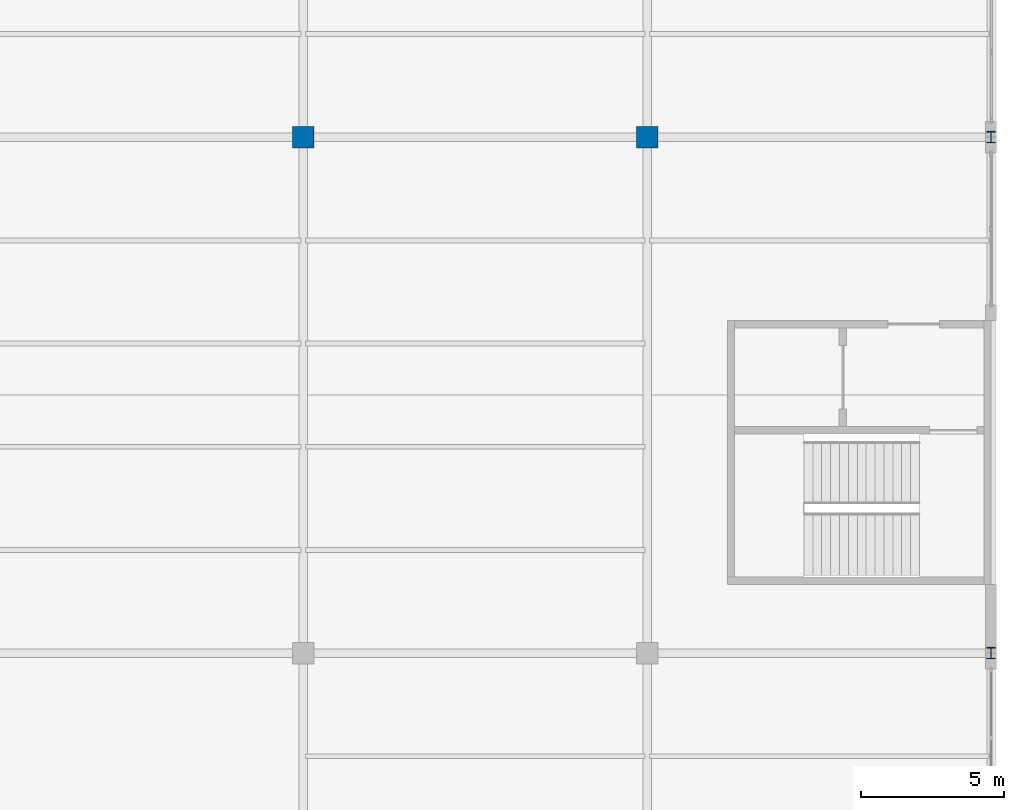
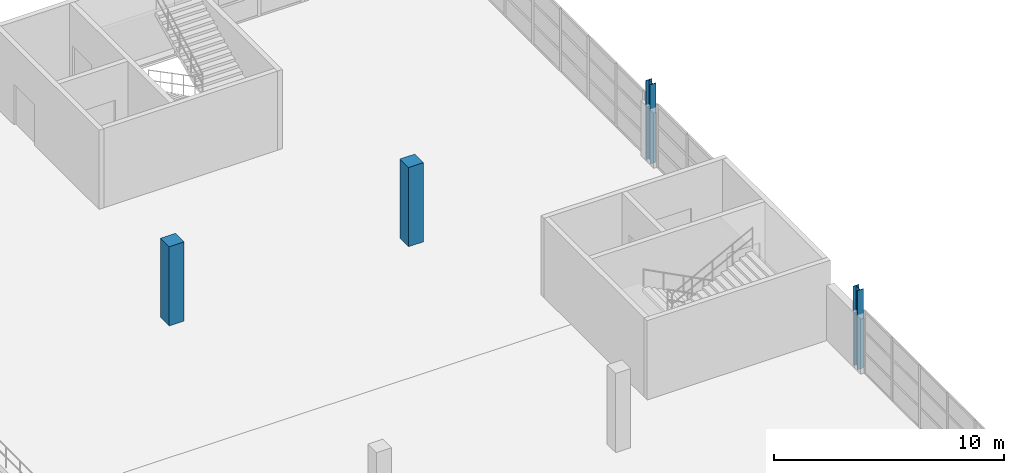
# One storey, part 18 of 158: 4 columns.
"""IFC4 building model written with IfcOpenShell, lengths in metres."""

from ifc_helpers import new_model, si_unit, direction, frame, origin, origin_2d, place, context, subcontext, project, spatial, rectangle, i_section, extrude, material, material_profile, profile_set, type_object, element, save


model = new_model("IFC4")

# Units and contexts
model_context = context("Model", 3, precision=1e-05, world=origin(), true_north=direction((0.0, 1.0)))
body_context = subcontext(model_context, "Body", "Model", "MODEL_VIEW")
ifc_project = project(units=[si_unit("LENGTHUNIT", "METRE"), si_unit("AREAUNIT", "SQUARE_METRE"), si_unit("VOLUMEUNIT", "CUBIC_METRE"), si_unit("PLANEANGLEUNIT", "RADIAN"), si_unit("MASSUNIT", "GRAM", prefix="KILO")], contexts=[model_context])

# Site, building, storey
site_placement = place(None, origin())
site = spatial("IfcSite", under=ifc_project, at=site_placement, CompositionType="ELEMENT")
building_placement = place(site_placement, origin())
building = spatial("IfcBuilding", under=site, at=building_placement, Name="Zilviju Railside Exhibition Hall", CompositionType="ELEMENT")
storey_placement = place(building_placement, frame((0.0, 0.0, 4.199951171875)))
storey = spatial("IfcBuildingStorey", under=building, at=storey_placement, Name="L02", CompositionType="ELEMENT", Elevation=4.199951171875)

# Columns
ifc_material_1 = material(Name="Concrete C35/45", Category="concrete")
ifc_material_profile_1 = material_profile(ifc_material_1, rectangle(XDim=0.75, YDim=0.75, at=origin_2d()), Name="RC COL 750x750")
ifc_profile_set_1 = profile_set([ifc_material_profile_1], Name="Concrete C35/45")
column_type_1 = type_object("IfcColumnType", Name="COL-RC-750", PredefinedType="COLUMN", material=ifc_profile_set_1)
for number, where, z_axis, x_axis, name in (
    (1, (192.0, 120.0, 0.0), (0.0, 0.0, 1.0), (1.0, 0.0, 0.0), "Structural Column L02 (192.0, 120.0)"),
    (2, (204.0, 120.0, 0.0), (0.0, 0.0, 1.0), (1.0, 0.0, 0.0), "Structural Column L02 (204.0, 120.0)"),
):
    element("IfcColumn", number, at=place(storey_placement, frame(where, z_axis=z_axis, x_axis=x_axis)), inside=storey, type_object=column_type_1, Name=name, PredefinedType="COLUMN", context=body_context, shape_type="SweptSolid", body=[
        extrude(rectangle(XDim=0.75, YDim=0.75, at=origin_2d()), origin(), (0.0, 0.0, 1.0), 4.199951171875),
    ])
ifc_material_2 = material(Name="Steel S355J2", Category="steel")
ifc_material_profile_2 = material_profile(ifc_material_2, i_section(OverallWidth=0.300048828125, OverallDepth=0.39990234375, WebThickness=0.013427734375, FlangeThickness=0.02392578125, at=origin_2d()), Name="HEB 400")
ifc_profile_set_2 = profile_set([ifc_material_profile_2], Name="Steel S355J2")
column_type_2 = type_object("IfcColumnType", Name="COL-ST-HEB400", PredefinedType="COLUMN", material=ifc_profile_set_2)
for number, where, z_axis, x_axis, name in (
    (3, (216.0, 102.0, 0.0), (0.0, 0.0, 1.0), (1.0, 0.0, 0.0), "Structural Column L02 (216.0, 102.0)"),
    (4, (216.0, 120.0, 0.0), (0.0, 0.0, 1.0), (1.0, 0.0, 0.0), "Structural Column L02 (216.0, 120.0)"),
):
    element("IfcColumn", number, at=place(storey_placement, frame(where, z_axis=z_axis, x_axis=x_axis)), inside=storey, type_object=column_type_2, Name=name, PredefinedType="COLUMN", context=body_context, shape_type="SweptSolid", body=[
        extrude(i_section(OverallWidth=0.300048828125, OverallDepth=0.39990234375, WebThickness=0.013427734375, FlangeThickness=0.02392578125, at=origin_2d()), origin(), (0.0, 0.0, 1.0), 4.199951171875),
    ])

save(model, "model.ifc")
